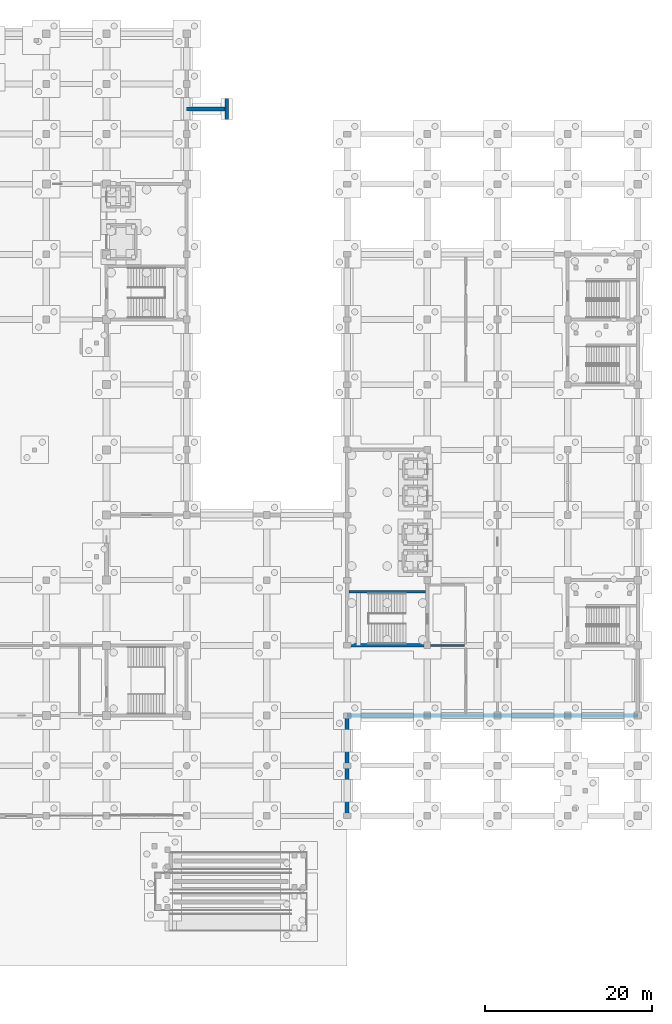
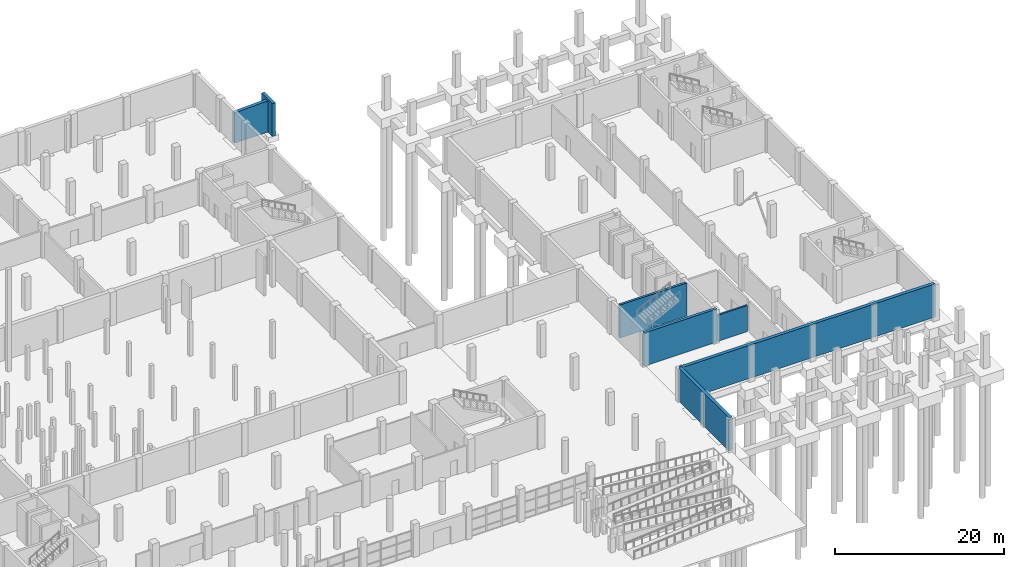
# One storey, part 34 of 42: 7 walls.
"""IFC4 building model written with IfcOpenShell, lengths in metres."""

from ifc_helpers import new_model, si_unit, direction, frame, frame_2d, origin, place, context, subcontext, project, spatial, polyline, rectangle, outline, extrude, material, layer, layer_set, type_object, element, save


model = new_model("IFC4")

# Units and contexts
model_context = context("Model", 3, precision=1e-05, world=origin(), true_north=direction((0.0, 1.0)))
body_context = subcontext(model_context, "Body", "Model", "MODEL_VIEW")
ifc_project = project(units=[si_unit("LENGTHUNIT", "METRE"), si_unit("AREAUNIT", "SQUARE_METRE"), si_unit("VOLUMEUNIT", "CUBIC_METRE"), si_unit("PLANEANGLEUNIT", "RADIAN"), si_unit("MASSUNIT", "GRAM", prefix="KILO")], contexts=[model_context])

# Site, building, storey
site_placement = place(None, origin())
site = spatial("IfcSite", under=ifc_project, at=site_placement, CompositionType="ELEMENT")
building_placement = place(site_placement, origin())
building = spatial("IfcBuilding", under=site, at=building_placement, Name="Pellamere Symphony Hall", CompositionType="ELEMENT")
storey_placement = place(building_placement, frame((0.0, 0.0, -4.800048828125)))
storey = spatial("IfcBuildingStorey", under=building, at=storey_placement, Name="B1", CompositionType="ELEMENT", Elevation=-4.800048828125)

# Walls
ifc_material_1 = material(Name="Double-Stud STC-65 Acoustic Drywall Partition", Category="gypsum")
ifc_layer_1 = layer(ifc_material_1, 0.239990234375, Name="Double-Stud STC-65 Acoustic Drywall Partition")
ifc_layer_set_1 = layer_set([ifc_layer_1], Name="Double-Stud STC-65 Acoustic Drywall Partition")
wall_type_1 = type_object("IfcWallType", Name="Interior Partition IW-01 240mm", PredefinedType="PARTITIONING", material=ifc_layer_set_1)
wall_1_placement = place(storey_placement, frame((147.760009765625, 38.39990234375, 0.0), z_axis=(0.0, 0.0, 1.0), x_axis=(1.0, 0.0, 0.0)))
element("IfcWall", 1, at=wall_1_placement, inside=storey, type_object=wall_type_1, Name="Interior Partition IW-01-020 (B1)", PredefinedType="PARTITIONING", context=body_context, shape_type="SweptSolid", body=[
    extrude(rectangle(XDim=4.280029296875, YDim=0.239990234375, at=frame_2d((2.14013671875, 0.0))), origin(), (0.0, 0.0, 1.0), 3.780029296875),
])
ifc_material_2 = material(Name="Concrete 40 MPa", Category="concrete")
ifc_layer_2 = layer(ifc_material_2, 0.449951171875, Name="Concrete 40 MPa")
ifc_layer_set_2 = layer_set([ifc_layer_2], Name="Concrete 40 MPa")
wall_type_2 = type_object("IfcWallType", Name="Structural Wall SW-01 450mm", PredefinedType="USERDEFINED", material=ifc_layer_set_2)
wall_2_placement = place(storey_placement, frame((172.800048828125, 30.0, 0.0), z_axis=(0.0, 0.0, 1.0), x_axis=(-1.0, 0.0, 0.0)))
element("IfcWall", 2, at=wall_2_placement, inside=storey, type_object=wall_type_2, Name="Basement Retaining Wall RW-13", ObjectType="RETAINING", PredefinedType="USERDEFINED", context=body_context, shape_type="SweptSolid", body=[
    extrude(rectangle(XDim=34.800048828125, YDim=0.449951171875, at=frame_2d((17.39990234375, 0.0))), origin(), (0.0, 0.0, 1.0), 4.800048828125),
])
wall_3_placement = place(storey_placement, frame((138.0, 30.0, 0.0), z_axis=(0.0, 0.0, 1.0), x_axis=(0.0, -1.0, 0.0)))
element("IfcWall", 3, at=wall_3_placement, inside=storey, type_object=wall_type_2, Name="Basement Retaining Wall RW-14", ObjectType="RETAINING", PredefinedType="USERDEFINED", context=body_context, shape_type="SweptSolid", body=[
    extrude(rectangle(XDim=12.0, YDim=0.449951171875, at=frame_2d((6.0, 0.0))), origin(), (0.0, 0.0, 1.0), 4.800048828125),
])
wall_4_placement = place(storey_placement, frame((123.60009765625, 101.324951171875, 0.0), z_axis=(0.0, 0.0, 1.0), x_axis=(0.0, 1.0, 0.0)))
element("IfcWall", 4, at=wall_4_placement, inside=storey, type_object=wall_type_2, Name="Acoustic Stage Equipment Access Ramp End Bearing Wall 2", ObjectType="RETAINING", PredefinedType="USERDEFINED", context=body_context, shape_type="SweptSolid", body=[
    extrude(rectangle(XDim=2.550048828125, YDim=0.449951171875, at=frame_2d((1.27490234375, 0.0))), origin(), (0.0, 0.0, 1.0), 4.780029296875),
])
wall_5_placement = place(storey_placement, frame((118.800048828125, 102.60009765625, 0.0), z_axis=(0.0, 0.0, 1.0), x_axis=(1.0, 0.0, 0.0)))
element("IfcWall", 5, at=wall_5_placement, inside=storey, type_object=wall_type_2, Name="Stage Equipment Ramp Spine Support Wall", ObjectType="RETAINING", PredefinedType="USERDEFINED", context=body_context, shape_type="SweptSolid", body=[
    extrude(outline(polyline([(0.0, 0.0), (4.800048828125, 0.0), (4.800048828125, 4.550048828125), (0.0, 4.35009765625), (0.0, 0.0)])), frame((0.0, 0.22509765625, 0.0), z_axis=(0.0, -1.0, 0.0), x_axis=(1.0, 0.0, 0.0)), (0.0, 0.0, 1.0), 0.449951171875),
])
ifc_material_3 = material(Name="Concrete 50 MPa", Category="concrete")
ifc_layer_3 = layer(ifc_material_3, 0.39990234375, Name="Concrete 50 MPa")
ifc_layer_set_3 = layer_set([ifc_layer_3], Name="Concrete 50 MPa")
wall_type_3 = type_object("IfcWallType", Name="Structural Wall SW-02 400mm", PredefinedType="SHEAR", material=ifc_layer_set_3)
wall_6_placement = place(storey_placement, frame((137.800048828125, 38.39990234375, 0.0), z_axis=(0.0, 0.0, 1.0), x_axis=(1.0, 0.0, 0.0)))
element("IfcWall", 6, at=wall_6_placement, inside=storey, type_object=wall_type_3, Name="Core Shear Wall C2 S (B1)", PredefinedType="SHEAR", context=body_context, shape_type="SweptSolid", body=[
    extrude(rectangle(XDim=10.0, YDim=0.39990234375, at=frame_2d((5.0, 0.0))), origin(), (0.0, 0.0, 1.0), 4.800048828125),
])
ifc_layer_4 = layer(ifc_material_2, 0.31005859375, Name="Concrete 40 MPa")
ifc_layer_set_4 = layer_set([ifc_layer_4], Name="Concrete 40 MPa")
wall_type_4 = type_object("IfcWallType", Name="Structural Wall SW-08 310mm", PredefinedType="SHEAR", material=ifc_layer_set_4)
wall_7_placement = place(storey_placement, frame((138.219970703125, 44.800048828125, 0.0), z_axis=(0.0, 0.0, 1.0), x_axis=(1.0, 0.0, 0.0)))
element("IfcWall", 7, at=wall_7_placement, inside=storey, type_object=wall_type_4, Name="Core Stair Divider Wall C2 (B1)", PredefinedType="SHEAR", context=body_context, shape_type="SweptSolid", body=[
    extrude(rectangle(XDim=9.159912109375, YDim=0.31005859375, at=frame_2d((4.580078125, 0.0))), origin(), (0.0, 0.0, 1.0), 4.800048828125),
])

save(model, "model.ifc")
